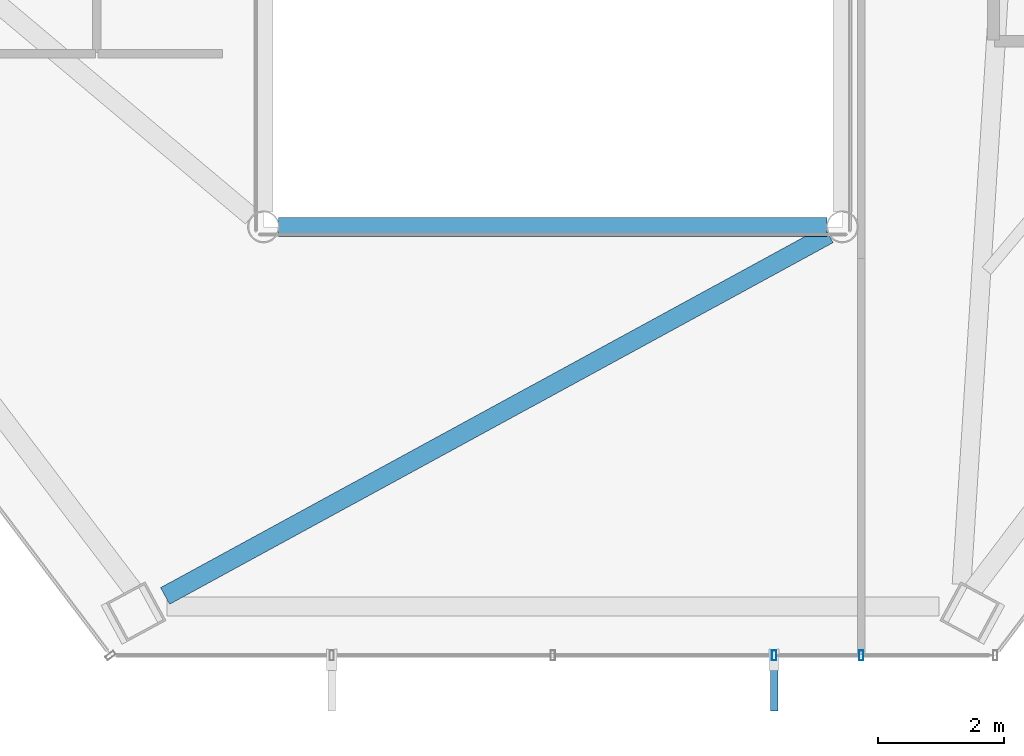
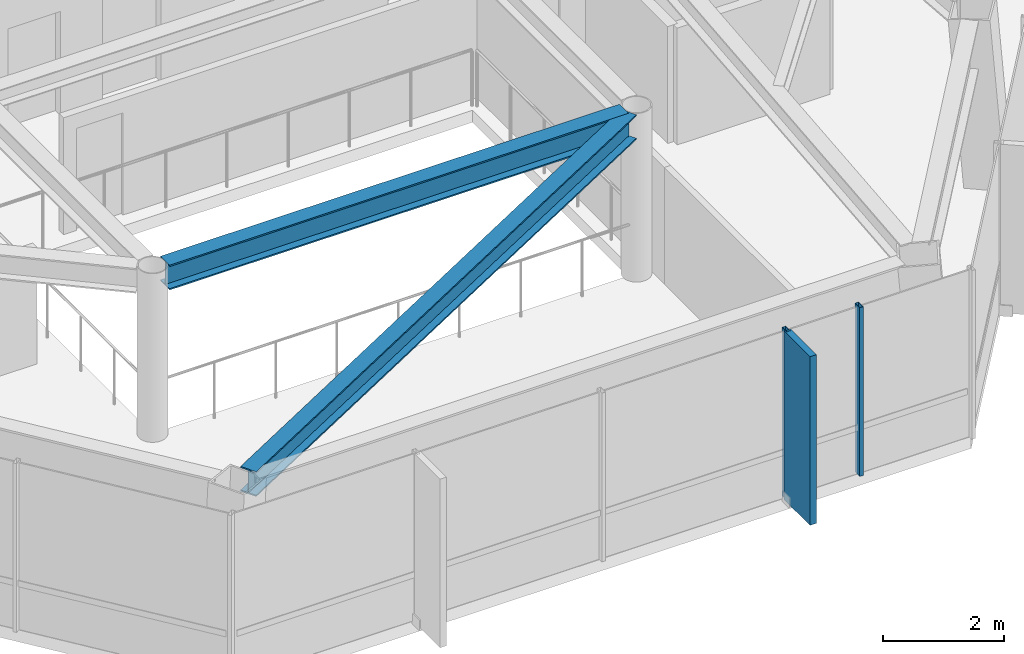
# One storey, part 6 of 28: 3 members, 2 beams, 1 element without a shape of its own.
"""IFC4 building model written with IfcOpenShell, lengths in metres."""

from ifc_helpers import new_model, si_unit, direction, frame, origin, origin_2d, place, context, subcontext, project, spatial, rectangle, hollow_rectangle, i_section, extrude, material, layer, layer_set, material_profile, profile_set, type_object, element, aggregate, save


model = new_model("IFC4")

# Units and contexts
model_context = context("Model", 3, precision=1e-05, world=origin(), true_north=direction((0.0, 1.0)))
body_context = subcontext(model_context, "Body", "Model", "MODEL_VIEW")
ifc_project = project(units=[si_unit("LENGTHUNIT", "METRE"), si_unit("AREAUNIT", "SQUARE_METRE"), si_unit("VOLUMEUNIT", "CUBIC_METRE"), si_unit("PLANEANGLEUNIT", "RADIAN"), si_unit("MASSUNIT", "GRAM", prefix="KILO")], contexts=[model_context])

# Site, building, storey
site_placement = place(None, origin())
site = spatial("IfcSite", under=ifc_project, at=site_placement, CompositionType="ELEMENT")
building_placement = place(site_placement, origin())
building = spatial("IfcBuilding", under=site, at=building_placement, Name="Zarrinselat Tower", CompositionType="ELEMENT")
storey_placement = place(building_placement, frame((0.0, 0.0, 190.739990234375)))
storey = spatial("IfcBuildingStorey", under=building, at=storey_placement, Name="L47", CompositionType="ELEMENT", Elevation=190.739990234375)

# Beams
ifc_material_1 = material(Name="Steel S355J2", Category="steel")
ifc_material_profile_1 = material_profile(ifc_material_1, i_section(OverallWidth=0.300048828125, OverallDepth=0.5, WebThickness=0.014404296875, FlangeThickness=0.028076171875, at=origin_2d()), Name="HEB 500")
ifc_profile_set_1 = profile_set([ifc_material_profile_1], Name="Steel S355J2")
beam_type = type_object("IfcBeamType", Name="BM-HEB500", PredefinedType="BEAM", material=ifc_profile_set_1)
beam_1_placement = place(storey_placement, frame((34.0400390625, 24.39990234375, 3.139892578125), z_axis=(1.0, 0.0, 0.0), x_axis=(0.0, 1.0, 0.0)))
element("IfcBeam", 1, at=beam_1_placement, inside=storey, type_object=beam_type, Name="L47 Atrium Edge Beam S", PredefinedType="BEAM", context=body_context, shape_type="SweptSolid", body=[
    extrude(i_section(OverallWidth=0.300048828125, OverallDepth=0.5, WebThickness=0.014404296875, FlangeThickness=0.028076171875, at=origin_2d()), origin(), (0.0, 0.0, 1.0), 8.719970703125),
])
beam_2_placement = place(storey_placement, frame((32.23583984375, 18.5341796875, 3.139892578125), z_axis=(0.878081197934, 0.478511661128, 0.0), x_axis=(-0.478511661128, 0.878081197934, 0.0)))
element("IfcBeam", 2, at=beam_2_placement, inside=storey, type_object=beam_type, Name="L47 Radial Primary Girder RG10", PredefinedType="BEAM", context=body_context, shape_type="SweptSolid", body=[
    extrude(i_section(OverallWidth=0.300048828125, OverallDepth=0.5, WebThickness=0.014404296875, FlangeThickness=0.028076171875, at=origin_2d()), origin(), (0.0, 0.0, 1.0), 12.0087890625),
])

# Curtain wall, members
ifc_material_2 = material(Name="Extruded Aluminium Alloy EN AW-6063 T6", Category="aluminium")
ifc_layer = layer(ifc_material_2, 0.175048828125)
ifc_layer_set = layer_set([ifc_layer], Name="Extruded Aluminium Alloy EN AW-6063 T6")
curtain_wall_type = type_object("IfcCurtainWallType", Name="CWS-HTL", PredefinedType="NOTDEFINED", material=ifc_layer_set)
curtain_wall_placement = place(storey_placement, origin())
curtain_wall = element("IfcCurtainWall", 3, at=curtain_wall_placement, inside=storey, type_object=curtain_wall_type, Name="L47 Unitised Curtain Wall CW-L47-E04", PredefinedType="NOTDEFINED")
ifc_material_3 = material(Name="Extruded Aluminium Alloy EN AW-6063 T6", Category="aluminium")
ifc_material_profile_2 = material_profile(ifc_material_3, hollow_rectangle(XDim=0.070068359375, YDim=0.159912109375, WallThickness=0.00390625, at=origin_2d()), Name="RHS 160x70x4")
ifc_profile_set_2 = profile_set([ifc_material_profile_2], Name="Extruded Aluminium Alloy EN AW-6063 T6")
member_type_1 = type_object("IfcMemberType", Name="MEM-CW-MUL2", PredefinedType="MULLION", material=ifc_profile_set_2)
member_1_placement = place(storey_placement, frame((41.915283203125, 17.58935546875, 0.0), z_axis=(0.0, 0.0, 1.0), x_axis=(1.0, 0.0, 0.0)))
member_1 = element("IfcMember", 4, at=member_1_placement, type_object=member_type_1, Name="CW-L47-E04 Mullion 3", PredefinedType="MULLION", context=body_context, shape_type="SweptSolid", body=[
    extrude(hollow_rectangle(XDim=0.070068359375, YDim=0.159912109375, WallThickness=0.00390625, at=origin_2d()), origin(), (0.0, 0.0, 1.0), 3.389892578125),
])
member_2_placement = place(storey_placement, frame((43.300048828125, 17.58935546875, 0.0), z_axis=(0.0, 0.0, 1.0), x_axis=(1.0, 0.0, 0.0)))
member_2 = element("IfcMember", 5, at=member_2_placement, type_object=member_type_1, Name="CW-L47-E04 Mullion 4", PredefinedType="MULLION", context=body_context, shape_type="SweptSolid", body=[
    extrude(hollow_rectangle(XDim=0.070068359375, YDim=0.159912109375, WallThickness=0.00390625, at=origin_2d()), origin(), (0.0, 0.0, 1.0), 3.389892578125),
])
ifc_material_4 = material(Name="Honed Cream Travertine Stone", Category="masonry")
ifc_material_profile_3 = material_profile(ifc_material_4, rectangle(XDim=0.1201171875, YDim=0.85009765625, at=origin_2d()), Name="FIN 850x120")
ifc_profile_set_3 = profile_set([ifc_material_profile_3], Name="Honed Cream Travertine Stone")
member_type_2 = type_object("IfcMemberType", Name="MEM-STONE-FIN", PredefinedType="USERDEFINED", material=ifc_profile_set_3)
member_3_placement = place(storey_placement, frame((41.915283203125, 17.12939453125, 0.0), z_axis=(0.0, 0.0, 1.0), x_axis=(-1.0, 0.0, 0.0)))
member_3 = element("IfcMember", 6, at=member_3_placement, type_object=member_type_2, Name="L47 Stone Shading Fin CW-L47-E04-03", ObjectType="FIN", PredefinedType="USERDEFINED", context=body_context, shape_type="SweptSolid", body=[
    extrude(rectangle(XDim=0.1201171875, YDim=0.85009765625, at=origin_2d()), origin(), (0.0, 0.0, 1.0), 3.389892578125),
])
aggregate(curtain_wall, [member_1, member_3, member_2])

save(model, "model.ifc")
